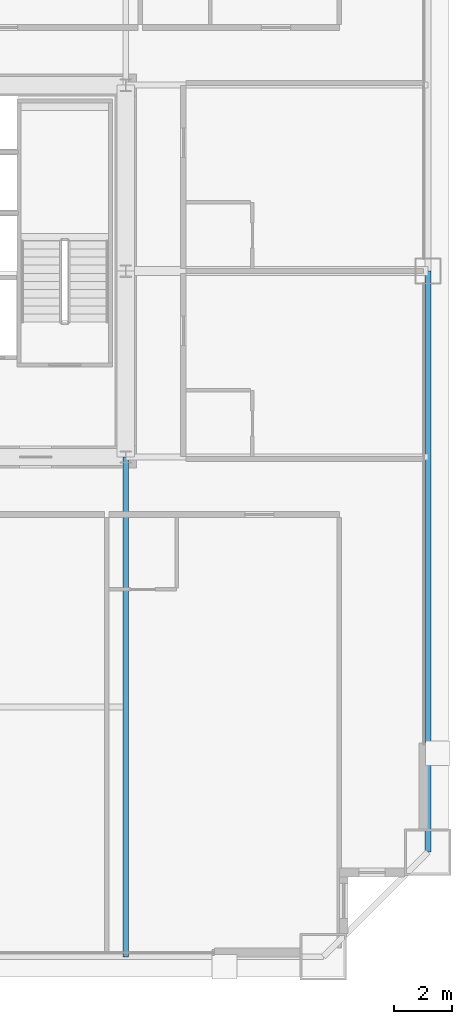
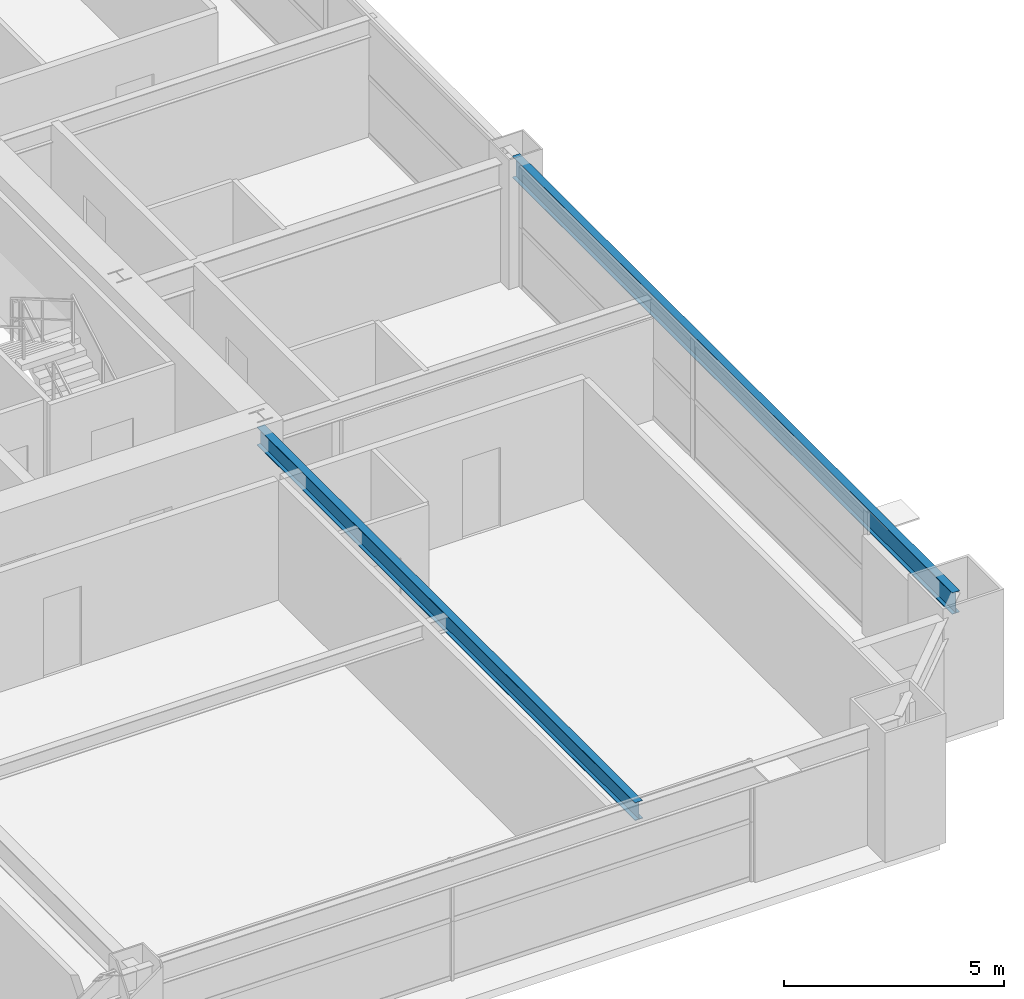
# One storey, part 16 of 38: 2 beams.
"""IFC4 building model written with IfcOpenShell, lengths in metres."""

from ifc_helpers import new_model, si_unit, direction, frame, origin, origin_2d, place, context, subcontext, project, spatial, i_section, extrude, source, transform, mapped, material, material_profile, profile_set, type_object, element, save


model = new_model("IFC4")

# Units and contexts
model_context = context("Model", 3, precision=1e-05, world=origin(), true_north=direction((0.0, 1.0)))
body_context = subcontext(model_context, "Body", "Model", "MODEL_VIEW")
ifc_project = project(units=[si_unit("LENGTHUNIT", "METRE"), si_unit("AREAUNIT", "SQUARE_METRE"), si_unit("VOLUMEUNIT", "CUBIC_METRE"), si_unit("PLANEANGLEUNIT", "RADIAN"), si_unit("MASSUNIT", "GRAM", prefix="KILO"), si_unit("THERMODYNAMICTEMPERATUREUNIT", "KELVIN"), si_unit("POWERUNIT", "WATT")], contexts=[model_context])

# Site, building, storey
site_placement = place(None, origin())
site = spatial("IfcSite", under=ifc_project, at=site_placement, CompositionType="ELEMENT")
building_placement = place(site_placement, origin())
building = spatial("IfcBuilding", under=site, at=building_placement, Name="Yuzanri Waterfront Tower", CompositionType="ELEMENT")
storey_placement = place(building_placement, frame((0.0, 0.0, 126.199951171875)))
storey = spatial("IfcBuildingStorey", under=building, at=storey_placement, Name="L33", CompositionType="ELEMENT", Elevation=126.199951171875)

# Beams
ifc_material_1 = material(Name="Steel Q355B", Category="steel")
ifc_material_profile_1 = material_profile(ifc_material_1, i_section(OverallWidth=0.199951171875, OverallDepth=0.60009765625, WebThickness=0.010986328125, FlangeThickness=0.01708984375, at=origin_2d()), Name="HN 600x200x11x17")
ifc_profile_set_1 = profile_set([ifc_material_profile_1], Name="Steel Q355B")
beam_type_1 = type_object("IfcBeamType", Name="Perimeter Spandrel Q355B HN 600x200", PredefinedType="SPANDREL", material=ifc_profile_set_1)
shared_shape_1 = source(origin(), body_context, "Body", "SweptSolid", [
    extrude(i_section(OverallWidth=0.199951171875, OverallDepth=0.60009765625, WebThickness=0.010986328125, FlangeThickness=0.01708984375, at=origin_2d()), origin(), (0.0, 0.0, 1.0), 20.0),
])
beam_1_placement = place(storey_placement, frame((60.60009765625, 5.800048828125, 3.02001953125), z_axis=(0.0, 1.0, 0.0), x_axis=(-1.0, 0.0, 0.0)))
element("IfcBeam", 1, at=beam_1_placement, inside=storey, type_object=beam_type_1, Name="L33 Perimeter Spandrel E1-E2", PredefinedType="SPANDREL", context=body_context, shape_type="MappedRepresentation", body=[
    mapped(shared_shape_1, transform((0.0, 0.0, 0.0), scale=1.0)),
])
ifc_material_2 = material(Name="Steel Q355B", Category="steel")
ifc_material_profile_2 = material_profile(ifc_material_2, i_section(OverallWidth=0.199951171875, OverallDepth=0.5, WebThickness=0.010009765625, FlangeThickness=0.01611328125, at=origin_2d()), Name="HN 500x200x10x16")
ifc_profile_set_2 = profile_set([ifc_material_profile_2], Name="Steel Q355B")
beam_type_2 = type_object("IfcBeamType", Name="Secondary Floor Beam Q355B HN 500x200", PredefinedType="BEAM", material=ifc_profile_set_2)
shared_shape_2 = source(origin(), body_context, "Body", "SweptSolid", [
    extrude(i_section(OverallWidth=0.199951171875, OverallDepth=0.5, WebThickness=0.010009765625, FlangeThickness=0.01611328125, at=origin_2d()), origin(), (0.0, 0.0, 1.0), 17.199951171875),
])
beam_2_placement = place(storey_placement, frame((50.199951171875, 19.39990234375, 3.070068359375), z_axis=(0.0, -1.0, 0.0), x_axis=(1.0, 0.0, 0.0)))
element("IfcBeam", 2, at=beam_2_placement, inside=storey, type_object=beam_type_2, Name="L33 South-East Core Line Beam", PredefinedType="BEAM", context=body_context, shape_type="MappedRepresentation", body=[
    mapped(shared_shape_2, transform((0.0, 0.0, 0.0), scale=1.0)),
])

save(model, "model.ifc")
